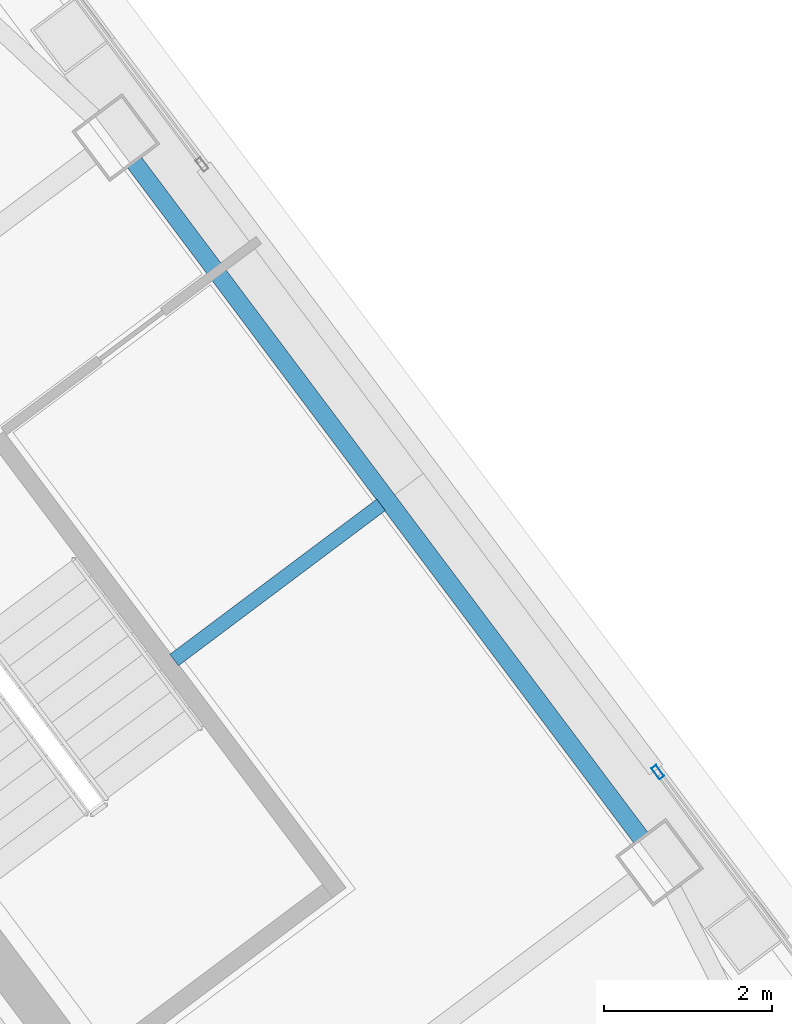
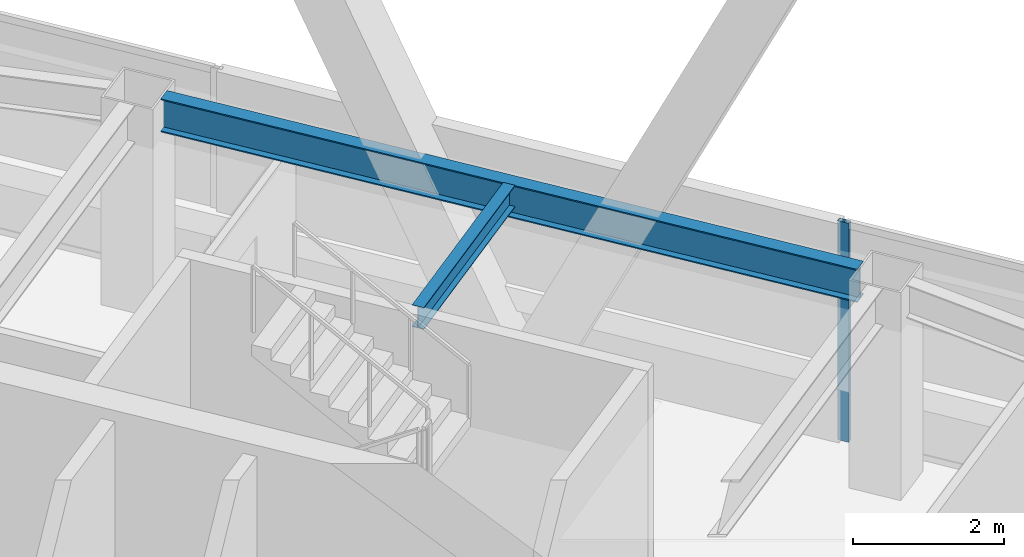
# One storey, part 30 of 47: 2 beams, 1 member, 1 element without a shape of its own.
"""IFC4 building model written with IfcOpenShell, lengths in metres."""

from ifc_helpers import new_model, si_unit, direction, frame, origin, origin_2d, place, context, subcontext, project, spatial, hollow_rectangle, i_section, extrude, material, material_profile, profile_set, type_object, element, aggregate, save


model = new_model("IFC4")

# Units and contexts
model_context = context("Model", 3, precision=1e-05, world=origin(), true_north=direction((0.0, 1.0)))
body_context = subcontext(model_context, "Body", "Model", "MODEL_VIEW")
ifc_project = project(units=[si_unit("LENGTHUNIT", "METRE"), si_unit("AREAUNIT", "SQUARE_METRE"), si_unit("VOLUMEUNIT", "CUBIC_METRE"), si_unit("PLANEANGLEUNIT", "RADIAN"), si_unit("MASSUNIT", "GRAM", prefix="KILO")], contexts=[model_context])

# Site, building, storey
site_placement = place(None, origin())
site = spatial("IfcSite", under=ifc_project, at=site_placement, CompositionType="ELEMENT")
building_placement = place(site_placement, origin())
building = spatial("IfcBuilding", under=site, at=building_placement, Name="Tashvorn Skyway Center", CompositionType="ELEMENT")
storey_placement = place(building_placement, frame((0.0, 0.0, 204.199951171875)))
storey = spatial("IfcBuildingStorey", under=building, at=storey_placement, Name="L55", CompositionType="ELEMENT", Elevation=204.199951171875)

# Beams
ifc_material_1 = material(Name="Steel ASTM A992 Grade 50", Category="steel")
ifc_material_profile_1 = material_profile(ifc_material_1, i_section(OverallWidth=0.1708984375, OverallDepth=0.35498046875, WebThickness=0.007080078125, FlangeThickness=0.01171875, at=origin_2d()), Name="W14X34")
ifc_profile_set_1 = profile_set([ifc_material_profile_1], Name="Steel ASTM A992 Grade 50")
beam_type_1 = type_object("IfcBeamType", Name="BM-JOIST-W14X34", PredefinedType="JOIST", material=ifc_profile_set_1)
beam_1_placement = place(storey_placement, frame((123.3359375, 39.001953125, 3.192626953125), z_axis=(0.799990496003, 0.600012671787, 0.0), x_axis=(-0.600012671787, 0.799990496003, 0.0)))
element("IfcBeam", 1, at=beam_1_placement, inside=storey, type_object=beam_type_1, Name="Tower 2 L55 Secondary Composite Joist JE", PredefinedType="JOIST", context=body_context, shape_type="SweptSolid", body=[
    extrude(i_section(OverallWidth=0.1708984375, OverallDepth=0.35498046875, WebThickness=0.007080078125, FlangeThickness=0.01171875, at=origin_2d()), origin(), (0.0, 0.0, 1.0), 3.08251953125),
])
ifc_material_profile_2 = material_profile(ifc_material_1, i_section(OverallWidth=0.2109375, OverallDepth=0.5390625, WebThickness=0.01171875, FlangeThickness=0.018798828125, at=origin_2d()), Name="W21X73")
ifc_profile_set_2 = profile_set([ifc_material_profile_2], Name="Steel ASTM A992 Grade 50")
beam_type_2 = type_object("IfcBeamType", Name="BM-SPANDREL-W21X73", PredefinedType="SPANDREL", material=ifc_profile_set_2)
beam_2_placement = place(storey_placement, frame((128.89794921875, 36.885986328125, 3.1005859375), z_axis=(-0.599988351091, 0.800008736549, 0.0), x_axis=(-0.800008736549, -0.599988351091, 0.0)))
element("IfcBeam", 2, at=beam_2_placement, inside=storey, type_object=beam_type_2, Name="Tower 2 L55 Spandrel Beam 05", PredefinedType="SPANDREL", context=body_context, shape_type="SweptSolid", body=[
    extrude(i_section(OverallWidth=0.2109375, OverallDepth=0.5390625, WebThickness=0.01171875, FlangeThickness=0.018798828125, at=origin_2d()), origin(), (0.0, 0.0, 1.0), 10.06005859375),
])

# Curtain wall, member
ifc_material_2 = material(Name="Thermally broken bronze-anodized aluminium 6063-T6", Category="aluminium")
curtain_wall_type = type_object("IfcCurtainWallType", Name="CW-CW-Z5", PredefinedType="NOTDEFINED", material=ifc_material_2)
curtain_wall_placement = place(storey_placement, origin())
curtain_wall = element("IfcCurtainWall", 3, at=curtain_wall_placement, inside=storey, type_object=curtain_wall_type, Name="Tower 2 L55 East Unitised Curtain Wall Glazing Group 2", PredefinedType="NOTDEFINED")
ifc_material_profile_3 = material_profile(ifc_material_2, hollow_rectangle(XDim=0.070068359375, YDim=0.1650390625, WallThickness=0.00390625, at=origin_2d()), Name="ALU-MULL-70x165")
ifc_profile_set_3 = profile_set([ifc_material_profile_3], Name="Thermally broken bronze-anodized aluminium 6063-T6")
member_type = type_object("IfcMemberType", Name="CWM-CW-Z5", PredefinedType="MULLION", material=ifc_profile_set_3)
member_placement = place(storey_placement, frame((129.10107421875, 37.665283203125, 0.0), z_axis=(0.0, 0.0, 1.0), x_axis=(0.799998664683, 0.600001780418, 0.0)))
member = element("IfcMember", 4, at=member_placement, type_object=member_type, Name="CW-Z5 mullion 1", PredefinedType="MULLION", context=body_context, shape_type="SweptSolid", body=[
    extrude(hollow_rectangle(XDim=0.070068359375, YDim=0.1650390625, WallThickness=0.00390625, at=origin_2d()), origin(), (0.0, 0.0, 1.0), 3.550048828125),
])
aggregate(curtain_wall, [member])

save(model, "model.ifc")
